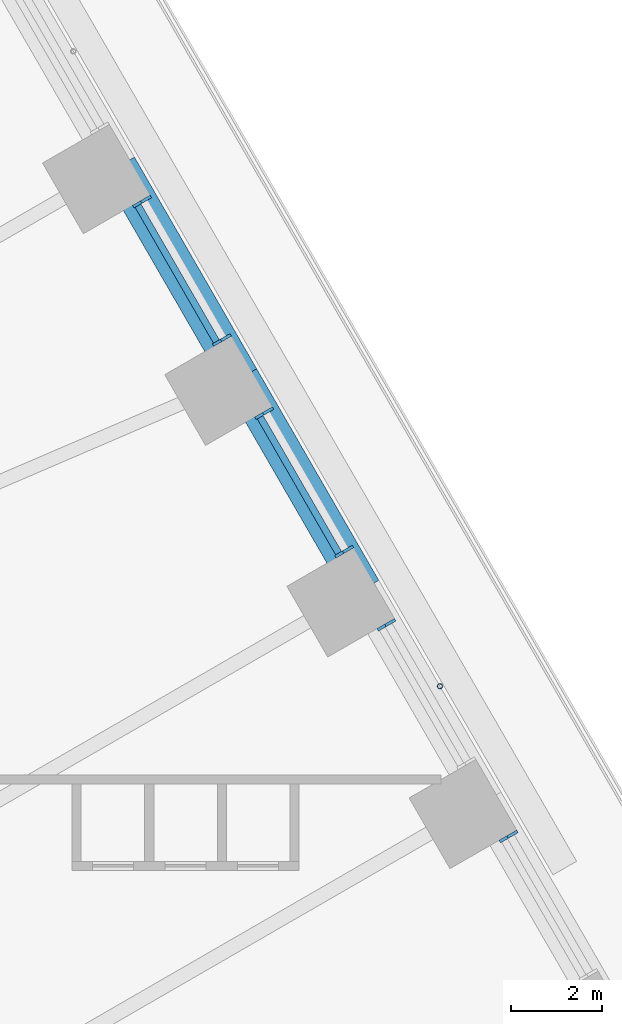
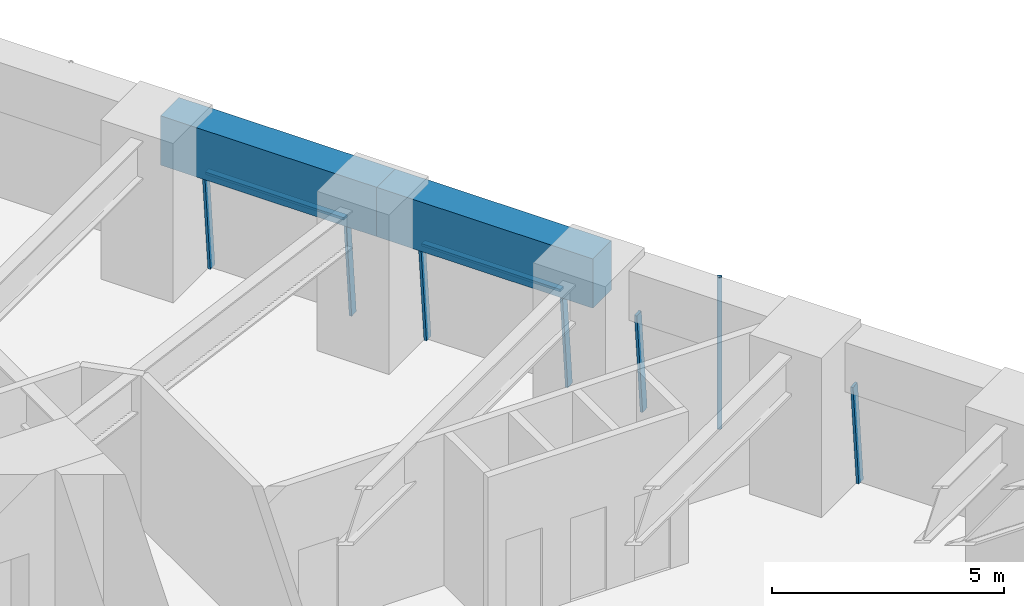
# One storey, part 13 of 24: 9 members, 2 beams, 4 elements without a shape of their own.
"""IFC4 building model written with IfcOpenShell, lengths in metres."""

from ifc_helpers import new_model, si_unit, direction, frame, origin, origin_2d, place, context, subcontext, project, spatial, rectangle, hollow_circle, extrude, material, material_profile, profile_set, type_object, element, aggregate, save


model = new_model("IFC4")

# Units and contexts
model_context = context("Model", 3, precision=1e-05, world=origin(), true_north=direction((0.0, 1.0)))
body_context = subcontext(model_context, "Body", "Model", "MODEL_VIEW")
ifc_project = project(units=[si_unit("LENGTHUNIT", "METRE"), si_unit("AREAUNIT", "SQUARE_METRE"), si_unit("VOLUMEUNIT", "CUBIC_METRE"), si_unit("PLANEANGLEUNIT", "RADIAN"), si_unit("MASSUNIT", "GRAM", prefix="KILO")], contexts=[model_context])

# Site, building, storey
site_placement = place(None, origin())
site = spatial("IfcSite", under=ifc_project, at=site_placement, CompositionType="ELEMENT")
building_placement = place(site_placement, origin())
building = spatial("IfcBuilding", under=site, at=building_placement, Name="Tarfa Lantern Tower", CompositionType="ELEMENT")
storey_placement = place(building_placement, frame((0.0, 0.0, 94.89990234375)))
storey = spatial("IfcBuildingStorey", under=building, at=storey_placement, Name="L21", CompositionType="ELEMENT", Elevation=94.89990234375)

# Curtain wall, member
ifc_material_1 = material(Name="Aluminium framed curtain wall", Category="aluminium")
curtain_wall_type = type_object("IfcCurtainWallType", Name="CW1 CANTED GLAZING LOW ZONE 2700", PredefinedType="USERDEFINED", material=ifc_material_1)
curtain_wall_1_placement = place(storey_placement, origin())
curtain_wall_1 = element("IfcCurtainWall", 1, at=curtain_wall_1_placement, inside=storey, type_object=curtain_wall_type, Name="CW1 NE L21", ObjectType="CURTAIN WALL", PredefinedType="USERDEFINED")
ifc_material_2 = material(Name="Aluminium mullion", Category="aluminium")
ifc_material_profile_1 = material_profile(ifc_material_2, rectangle(XDim=0.06494140625, YDim=0.199951171875, at=origin_2d()), Name="AL MULLION 65x200")
ifc_profile_set_1 = profile_set([ifc_material_profile_1], Name="Aluminium mullion")
member_type_1 = type_object("IfcMemberType", Name="CWM1 MULLION 65x200", PredefinedType="MULLION", material=ifc_profile_set_1)
member_1_placement = place(storey_placement, frame((35.213134765625, 6.80908203125, 0.0), z_axis=(-0.079857261722, -0.046095736191, 0.995739926314), x_axis=(0.499919672301, -0.866071776036, 0.0)))
member_1 = element("IfcMember", 2, at=member_1_placement, type_object=member_type_1, Name="CW1 mullion 2", PredefinedType="MULLION", context=body_context, shape_type="SweptSolid", body=[
    extrude(rectangle(XDim=0.06494140625, YDim=0.199951171875, at=origin_2d()), origin(), (0.0, 0.0, 1.0), 2.711669921875),
])
aggregate(curtain_wall_1, [member_1])

curtain_wall_2_placement = place(storey_placement, origin())
curtain_wall_2 = element("IfcCurtainWall", 3, at=curtain_wall_2_placement, inside=storey, type_object=curtain_wall_type, Name="CW1 NE L21", ObjectType="CURTAIN WALL", PredefinedType="USERDEFINED")
member_2_placement = place(storey_placement, frame((32.518798828125, 11.475830078125, 0.0), z_axis=(-0.079857261722, -0.046095736191, 0.995739926314), x_axis=(0.499919672301, -0.866071776036, 0.0)))
member_2 = element("IfcMember", 4, at=member_2_placement, type_object=member_type_1, Name="CW1 mullion 2", PredefinedType="MULLION", context=body_context, shape_type="SweptSolid", body=[
    extrude(rectangle(XDim=0.06494140625, YDim=0.199951171875, at=origin_2d()), origin(), (0.0, 0.0, 1.0), 2.711669921875),
])
aggregate(curtain_wall_2, [member_2])

# Curtain wall, members
curtain_wall_3_placement = place(storey_placement, origin())
curtain_wall_3 = element("IfcCurtainWall", 5, at=curtain_wall_3_placement, inside=storey, type_object=curtain_wall_type, Name="CW1 NE L21", ObjectType="CURTAIN WALL", PredefinedType="USERDEFINED")
member_3_placement = place(storey_placement, frame((31.58642578125, 13.0908203125, 0.0), z_axis=(-0.079857261722, -0.046095736191, 0.995739926314), x_axis=(0.499919672301, -0.866071776036, 0.0)))
member_3 = element("IfcMember", 6, at=member_3_placement, type_object=member_type_1, Name="CW1 mullion 1", PredefinedType="MULLION", context=body_context, shape_type="SweptSolid", body=[
    extrude(rectangle(XDim=0.06494140625, YDim=0.199951171875, at=origin_2d()), origin(), (0.0, 0.0, 1.0), 2.711669921875),
])
member_4_placement = place(storey_placement, frame((29.824462890625, 16.142333984375, 0.0), z_axis=(-0.079857261722, -0.046095736191, 0.995739926314), x_axis=(0.499919672301, -0.866071776036, 0.0)))
member_4 = element("IfcMember", 7, at=member_4_placement, type_object=member_type_1, Name="CW1 mullion 2", PredefinedType="MULLION", context=body_context, shape_type="SweptSolid", body=[
    extrude(rectangle(XDim=0.06494140625, YDim=0.199951171875, at=origin_2d()), origin(), (0.0, 0.0, 1.0), 2.711669921875),
])

curtain_wall_4_placement = place(storey_placement, origin())
curtain_wall_4 = element("IfcCurtainWall", 8, at=curtain_wall_4_placement, inside=storey, type_object=curtain_wall_type, Name="CW1 NE L21", ObjectType="CURTAIN WALL", PredefinedType="USERDEFINED")
member_5_placement = place(storey_placement, frame((28.89208984375, 17.757568359375, 0.0), z_axis=(-0.079857261722, -0.046095736191, 0.995739926314), x_axis=(0.499919672301, -0.866071776036, 0.0)))
member_5 = element("IfcMember", 9, at=member_5_placement, type_object=member_type_1, Name="CW1 mullion 1", PredefinedType="MULLION", context=body_context, shape_type="SweptSolid", body=[
    extrude(rectangle(XDim=0.06494140625, YDim=0.199951171875, at=origin_2d()), origin(), (0.0, 0.0, 1.0), 2.711669921875),
])
member_6_placement = place(storey_placement, frame((27.130126953125, 20.80908203125, 0.0), z_axis=(-0.079767804165, -0.046096067418, 0.995747081335), x_axis=(0.500342721131, -0.865827443207, 0.0)))
member_6 = element("IfcMember", 10, at=member_6_placement, type_object=member_type_1, Name="CW1 mullion 2", PredefinedType="MULLION", context=body_context, shape_type="SweptSolid", body=[
    extrude(rectangle(XDim=0.06494140625, YDim=0.199951171875, at=origin_2d()), origin(), (0.0, 0.0, 1.0), 2.711669921875),
])

# Member
ifc_material_3 = material(Name="Aluminium transom", Category="aluminium")
ifc_material_profile_2 = material_profile(ifc_material_3, rectangle(XDim=0.14990234375, YDim=0.06494140625, at=origin_2d()), Name="AL TRANSOM 150x65")
ifc_profile_set_2 = profile_set([ifc_material_profile_2], Name="Aluminium transom")
member_type_2 = type_object("IfcMemberType", Name="CWT1 TRANSOM 150x65", PredefinedType="USERDEFINED", material=ifc_profile_set_2)
member_7_placement = place(storey_placement, frame((31.356201171875, 12.99560546875, 2.66748046875), z_axis=(-0.500003541824, 0.866023358902, 0.0), x_axis=(-0.866023358902, -0.500003541824, 0.0)))
member_7 = element("IfcMember", 11, at=member_7_placement, type_object=member_type_2, Name="CW1 transom 1.2", ObjectType="TRANSOM", PredefinedType="USERDEFINED", context=body_context, shape_type="SweptSolid", body=[
    extrude(rectangle(XDim=0.14990234375, YDim=0.06494140625, at=origin_2d()), origin(), (0.0, 0.0, 1.0), 3.45849609375),
])

aggregate(curtain_wall_3, [member_3, member_4, member_7])

member_8_placement = place(storey_placement, frame((28.661865234375, 17.662109375, 2.66748046875), z_axis=(-0.49997297598, 0.866041005548, 0.0), x_axis=(-0.866041005548, -0.49997297598, 0.0)))
member_8 = element("IfcMember", 12, at=member_8_placement, type_object=member_type_2, Name="CW1 transom 1.2", ObjectType="TRANSOM", PredefinedType="USERDEFINED", context=body_context, shape_type="SweptSolid", body=[
    extrude(rectangle(XDim=0.14990234375, YDim=0.06494140625, at=origin_2d()), origin(), (0.0, 0.0, 1.0), 3.458740234375),
])

aggregate(curtain_wall_4, [member_5, member_6, member_8])

# Beams
ifc_material_4 = material(Name="Concrete C80/95", Category="concrete")
ifc_material_profile_3 = material_profile(ifc_material_4, rectangle(XDim=0.800048828125, YDim=1.300048828125, at=origin_2d()), Name="RC 800x1300")
ifc_profile_set_3 = profile_set([ifc_material_profile_3], Name="Concrete C80/95")
beam_type = type_object("IfcBeamType", Name="EB1 RC 800x1300", PredefinedType="SPANDREL", material=ifc_profile_set_3)
beam_1_placement = place(storey_placement, frame((31.896728515625, 12.193359375, 3.35009765625), z_axis=(-0.499998287579, 0.866026392449, 0.0), x_axis=(-0.866026392449, -0.499998287579, 0.0)))
element("IfcBeam", 13, at=beam_1_placement, inside=storey, type_object=beam_type, Name="Edge beam NE2", PredefinedType="SPANDREL", context=body_context, shape_type="SweptSolid", body=[
    extrude(rectangle(XDim=0.800048828125, YDim=1.300048828125, at=origin_2d()), origin(), (0.0, 0.0, 1.0), 5.388671875),
])
beam_2_placement = place(storey_placement, frame((29.202392578125, 16.860107421875, 3.35009765625), z_axis=(-0.500017906299, 0.866015065331, 0.0), x_axis=(-0.866015065331, -0.500017906299, 0.0)))
element("IfcBeam", 14, at=beam_2_placement, inside=storey, type_object=beam_type, Name="Edge beam NE3", PredefinedType="SPANDREL", context=body_context, shape_type="SweptSolid", body=[
    extrude(rectangle(XDim=0.800048828125, YDim=1.300048828125, at=origin_2d()), origin(), (0.0, 0.0, 1.0), 5.388427734375),
])

# Member
ifc_material_5 = material(Name="Steel S355", Category="steel")
ifc_material_profile_4 = material_profile(ifc_material_5, hollow_circle(Radius=0.05712890625, WallThickness=0.00634765625, at=origin_2d()), Name="CHS114.3x6.3")
ifc_profile_set_4 = profile_set([ifc_material_profile_4], Name="Steel S355")
member_type_3 = type_object("IfcMemberType", Name="TR1 GREEN WALL TRELLIS CHS114.3x6.3", PredefinedType="USERDEFINED", material=ifc_profile_set_4)
member_9_placement = place(storey_placement, frame((33.59033203125, 10.06005859375, 0.0), z_axis=(0.0, 0.0, 1.0), x_axis=(1.0, 0.0, 0.0)))
element("IfcMember", 15, at=member_9_placement, inside=storey, type_object=member_type_3, Name="Trellis post NE 1", ObjectType="TRELLIS", PredefinedType="USERDEFINED", context=body_context, shape_type="SweptSolid", body=[
    extrude(hollow_circle(Radius=0.05712890625, WallThickness=0.00634765625, at=origin_2d()), origin(), (0.0, 0.0, 1.0), 4.0),
])

save(model, "model.ifc")
